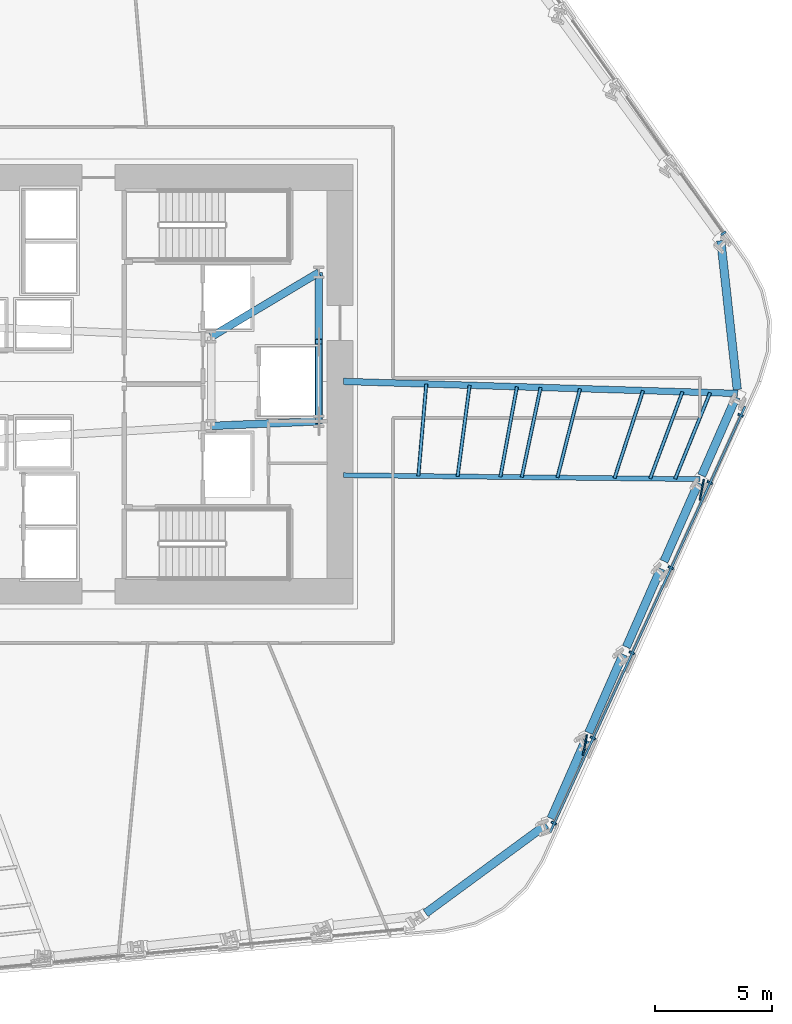
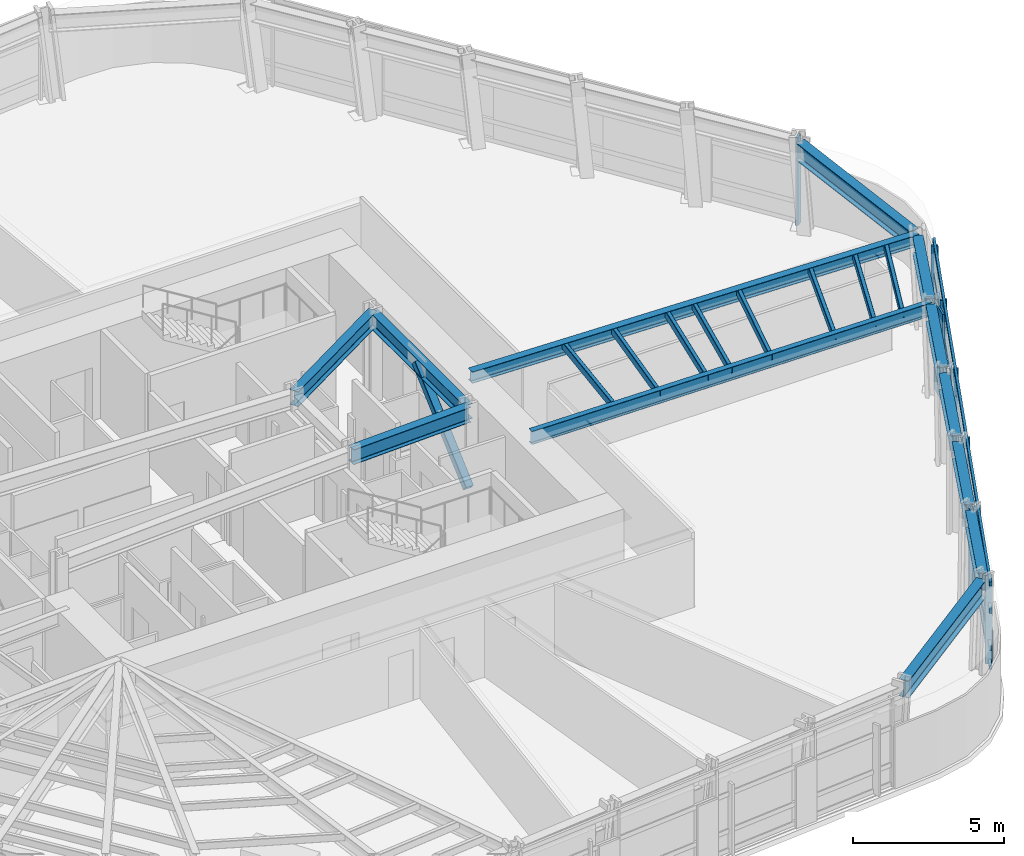
# One storey, part 4 of 16: 22 members, 12 beams, 2 elements without a shape of their own.
"""IFC4 building model written with IfcOpenShell, lengths in metres."""

from ifc_helpers import new_model, si_unit, direction, frame, origin, origin_2d, place, context, subcontext, project, spatial, rectangle, hollow_rectangle, i_section, extrude, material, layer, layer_set, material_profile, profile_set, type_object, element, aggregate, save


model = new_model("IFC4")

# Units and contexts
model_context = context("Model", 3, precision=1e-05, world=origin(), true_north=direction((0.0, 1.0)))
body_context = subcontext(model_context, "Body", "Model", "MODEL_VIEW")
ifc_project = project(units=[si_unit("LENGTHUNIT", "METRE"), si_unit("AREAUNIT", "SQUARE_METRE"), si_unit("VOLUMEUNIT", "CUBIC_METRE"), si_unit("PLANEANGLEUNIT", "RADIAN"), si_unit("MASSUNIT", "GRAM", prefix="KILO")], contexts=[model_context])

# Site, building, storey
site_placement = place(None, origin())
site = spatial("IfcSite", under=ifc_project, at=site_placement, CompositionType="ELEMENT")
building_placement = place(site_placement, origin())
building = spatial("IfcBuilding", under=site, at=building_placement, Name="Valkerne Bourse Tower", CompositionType="ELEMENT")
storey_placement = place(building_placement, frame((0.0, 0.0, 46.800048828125)))
storey = spatial("IfcBuildingStorey", under=building, at=storey_placement, Name="L11", CompositionType="ELEMENT", Elevation=46.800048828125)

# Beams
ifc_material_1 = material(Name="Steel ASTM A992", Category="steel")
ifc_material_profile_1 = material_profile(ifc_material_1, i_section(OverallWidth=0.279296875, OverallDepth=0.46240234375, WebThickness=0.0107421875, FlangeThickness=0.017333984375, FilletRadius=0.017822265625, at=origin_2d()), Name="W18X76")
ifc_profile_set_1 = profile_set([ifc_material_profile_1], Name="Steel ASTM A992")
beam_type_1 = type_object("IfcBeamType", Name="BM-W18X76", PredefinedType="BEAM", material=ifc_profile_set_1)
beam_1_placement = place(storey_placement, frame((72.82080078125, 26.48779296875, 3.348876953125), z_axis=(-0.999536696219, 0.030436703368, 0.0), x_axis=(-0.030436703368, -0.999536696219, 0.0)))
element("IfcBeam", 1, at=beam_1_placement, inside=storey, type_object=beam_type_1, Name="L11 Radial Composite Floor Beam 35", PredefinedType="BEAM", context=body_context, shape_type="SweptSolid", body=[
    extrude(i_section(OverallWidth=0.279296875, OverallDepth=0.46240234375, WebThickness=0.0107421875, FlangeThickness=0.017333984375, FilletRadius=0.017822265625, at=origin_2d()), origin(), (0.0, 0.0, 1.0), 16.82861328125),
])
ifc_material_profile_2 = material_profile(ifc_material_1, i_section(OverallWidth=0.209228515625, OverallDepth=0.533447265625, WebThickness=0.01025390625, FlangeThickness=0.015625, FilletRadius=0.017822265625, at=origin_2d()), Name="W21X62")
ifc_profile_set_2 = profile_set([ifc_material_profile_2], Name="Steel ASTM A992")
beam_type_2 = type_object("IfcBeamType", Name="BM-W21X62", PredefinedType="JOIST", material=ifc_profile_set_2)
beam_2_placement = place(storey_placement, frame((71.214599609375, 22.828857421875, 3.313232421875), z_axis=(-0.999936740773, 0.0112478643, 0.0), x_axis=(-0.0112478643, -0.999936740773, 0.0)))
element("IfcBeam", 2, at=beam_2_placement, inside=storey, type_object=beam_type_2, Name="L11 Radial Composite Floor Beam 34", PredefinedType="JOIST", context=body_context, shape_type="SweptSolid", body=[
    extrude(i_section(OverallWidth=0.209228515625, OverallDepth=0.533447265625, WebThickness=0.01025390625, FlangeThickness=0.015625, FilletRadius=0.017822265625, at=origin_2d()), origin(), (0.0, 0.0, 1.0), 15.215576171875),
])
ifc_material_profile_3 = material_profile(ifc_material_1, i_section(OverallWidth=0.3251953125, OverallDepth=0.612060546875, WebThickness=0.0126953125, FlangeThickness=0.01904296875, FilletRadius=0.020263671875, at=origin_2d()), Name="W24X104")
ifc_profile_set_3 = profile_set([ifc_material_profile_3], Name="Steel ASTM A992")
beam_type_3 = type_object("IfcBeamType", Name="BM-W24X104", PredefinedType="BEAM", material=ifc_profile_set_3)
beam_3_placement = place(storey_placement, frame((50.35009765625, 25.10009765625, 3.27392578125), z_axis=(0.999056558506, 0.043428019819, 0.0), x_axis=(-0.043428019819, 0.999056558506, 0.0)))
element("IfcBeam", 3, at=beam_3_placement, inside=storey, type_object=beam_type_3, Name="L11 Core Frame Girder CG-SE", PredefinedType="BEAM", context=body_context, shape_type="SweptSolid", body=[
    extrude(i_section(OverallWidth=0.3251953125, OverallDepth=0.612060546875, WebThickness=0.0126953125, FlangeThickness=0.01904296875, FilletRadius=0.020263671875, at=origin_2d()), origin(), (0.0, 0.0, 1.0), 4.604248046875),
])
beam_4_placement = place(storey_placement, frame((50.35009765625, 28.89990234375, 3.27392578125), z_axis=(0.858307823492, 0.513135148019, 0.0), x_axis=(-0.513135148019, 0.858307823492, 0.0)))
element("IfcBeam", 4, at=beam_4_placement, inside=storey, type_object=beam_type_3, Name="L11 Core Frame Girder CG-NE", PredefinedType="BEAM", context=body_context, shape_type="SweptSolid", body=[
    extrude(i_section(OverallWidth=0.3251953125, OverallDepth=0.612060546875, WebThickness=0.0126953125, FlangeThickness=0.01904296875, FilletRadius=0.020263671875, at=origin_2d()), origin(), (0.0, 0.0, 1.0), 5.359130859375),
])
beam_5_placement = place(storey_placement, frame((54.949951171875, 25.300048828125, 3.27392578125), z_axis=(0.0, 1.0, 0.0), x_axis=(-1.0, 0.0, 0.0)))
element("IfcBeam", 5, at=beam_5_placement, inside=storey, type_object=beam_type_3, Name="L11 Core Frame Girder CG-EE", PredefinedType="BEAM", context=body_context, shape_type="SweptSolid", body=[
    extrude(i_section(OverallWidth=0.3251953125, OverallDepth=0.612060546875, WebThickness=0.0126953125, FlangeThickness=0.01904296875, FilletRadius=0.020263671875, at=origin_2d()), origin(), (0.0, 0.0, 1.0), 6.349853515625),
])
ifc_material_profile_4 = material_profile(ifc_material_1, i_section(OverallWidth=0.358154296875, OverallDepth=0.7060546875, WebThickness=0.018310546875, FlangeThickness=0.0302734375, FilletRadius=0.02294921875, at=origin_2d()), Name="W27X178")
ifc_profile_set_4 = profile_set([ifc_material_profile_4], Name="Steel ASTM A992")
beam_type_4 = type_object("IfcBeamType", Name="BM-W27X178", PredefinedType="SPANDREL", material=ifc_profile_set_4)
beam_6_placement = place(storey_placement, frame((59.50390625, 4.309814453125, 3.226806640625), z_axis=(0.805912696436, 0.592034395727, 0.0), x_axis=(-0.592034395727, 0.805912696436, 0.0)))
element("IfcBeam", 6, at=beam_6_placement, inside=storey, type_object=beam_type_4, Name="L11 Hexagonal Spandrel Ring Beam 29", PredefinedType="SPANDREL", context=body_context, shape_type="SweptSolid", body=[
    extrude(i_section(OverallWidth=0.358154296875, OverallDepth=0.7060546875, WebThickness=0.018310546875, FlangeThickness=0.0302734375, FilletRadius=0.02294921875, at=origin_2d()), origin(), (0.0, 0.0, 1.0), 6.388916015625),
])
beam_7_placement = place(storey_placement, frame((64.858154296875, 8.348388671875, 3.226806640625), z_axis=(0.40199552406, 0.91564163221, 0.0), x_axis=(-0.91564163221, 0.40199552406, 0.0)))
element("IfcBeam", 7, at=beam_7_placement, inside=storey, type_object=beam_type_4, Name="L11 Hexagonal Spandrel Ring Beam 30", PredefinedType="SPANDREL", context=body_context, shape_type="SweptSolid", body=[
    extrude(i_section(OverallWidth=0.358154296875, OverallDepth=0.7060546875, WebThickness=0.018310546875, FlangeThickness=0.0302734375, FilletRadius=0.02294921875, at=origin_2d()), origin(), (0.0, 0.0, 1.0), 3.656005859375),
])
beam_8_placement = place(storey_placement, frame((66.46435546875, 12.007568359375, 3.226806640625), z_axis=(0.402020104829, 0.915630840084, 0.0), x_axis=(-0.915630840084, 0.402020104829, 0.0)))
element("IfcBeam", 8, at=beam_8_placement, inside=storey, type_object=beam_type_4, Name="L11 Hexagonal Spandrel Ring Beam 31", PredefinedType="SPANDREL", context=body_context, shape_type="SweptSolid", body=[
    extrude(i_section(OverallWidth=0.358154296875, OverallDepth=0.7060546875, WebThickness=0.018310546875, FlangeThickness=0.0302734375, FilletRadius=0.02294921875, at=origin_2d()), origin(), (0.0, 0.0, 1.0), 3.65576171875),
])
for number, where, z_axis, x_axis, name in (
    (9, (68.070556640625, 15.66650390625, 3.226806640625), (0.40199552406, 0.91564163221, 0.0), (-0.91564163221, 0.40199552406, 0.0), "L11 Hexagonal Spandrel Ring Beam 32"),
    (10, (69.6767578125, 19.325439453125, 3.226806640625), (0.40199552406, 0.91564163221, 0.0), (-0.91564163221, 0.40199552406, 0.0), "L11 Hexagonal Spandrel Ring Beam 33"),
):
    element("IfcBeam", number, at=place(storey_placement, frame(where, z_axis=z_axis, x_axis=x_axis)), inside=storey, type_object=beam_type_4, Name=name, PredefinedType="SPANDREL", context=body_context, shape_type="SweptSolid", body=[
        extrude(i_section(OverallWidth=0.358154296875, OverallDepth=0.7060546875, WebThickness=0.018310546875, FlangeThickness=0.0302734375, FilletRadius=0.02294921875, at=origin_2d()), origin(), (0.0, 0.0, 1.0), 3.656005859375),
    ])
beam_9_placement = place(storey_placement, frame((71.282958984375, 22.984619140625, 3.226806640625), z_axis=(0.401964114941, 0.91565542116, 0.0), x_axis=(-0.91565542116, 0.401964114941, 0.0)))
element("IfcBeam", 11, at=beam_9_placement, inside=storey, type_object=beam_type_4, Name="L11 Hexagonal Spandrel Ring Beam 34", PredefinedType="SPANDREL", context=body_context, shape_type="SweptSolid", body=[
    extrude(i_section(OverallWidth=0.358154296875, OverallDepth=0.7060546875, WebThickness=0.018310546875, FlangeThickness=0.0302734375, FilletRadius=0.02294921875, at=origin_2d()), origin(), (0.0, 0.0, 1.0), 3.65576171875),
])
beam_10_placement = place(storey_placement, frame((72.802001953125, 26.65673828125, 3.226806640625), z_axis=(-0.109710106272, 0.993963627394, 0.0), x_axis=(-0.993963627394, -0.109710106272, 0.0)))
element("IfcBeam", 12, at=beam_10_placement, inside=storey, type_object=beam_type_4, Name="L11 Hexagonal Spandrel Ring Beam 35", PredefinedType="SPANDREL", context=body_context, shape_type="SweptSolid", body=[
    extrude(i_section(OverallWidth=0.358154296875, OverallDepth=0.7060546875, WebThickness=0.018310546875, FlangeThickness=0.0302734375, FilletRadius=0.02294921875, at=origin_2d()), origin(), (0.0, 0.0, 1.0), 6.388916015625),
])

# Curtain wall, member
ifc_material_2 = material(Name="Aluminium AA 6063-T6", Category="aluminium")
ifc_layer = layer(ifc_material_2, 0.22509765625)
ifc_layer_set = layer_set([ifc_layer], Name="Aluminium AA 6063-T6")
curtain_wall_type = type_object("IfcCurtainWallType", Name="CW-01", PredefinedType="NOTDEFINED", material=ifc_layer_set)
curtain_wall_1_placement = place(storey_placement, origin())
curtain_wall_1 = element("IfcCurtainWall", 13, at=curtain_wall_1_placement, inside=storey, type_object=curtain_wall_type, Name="L11 Hexagonal Stick Curtain Wall Face 1", PredefinedType="NOTDEFINED")
ifc_material_profile_5 = material_profile(ifc_material_2, rectangle(XDim=0.090087890625, YDim=0.239990234375, at=origin_2d()), Name="CWM-90X240")
ifc_profile_set_5 = profile_set([ifc_material_profile_5], Name="Aluminium AA 6063-T6")
member_type_1 = type_object("IfcMemberType", Name="CW-MUL-240X90", PredefinedType="MULLION", material=ifc_profile_set_5)
member_1_placement = place(storey_placement, frame((72.210205078125, 33.317626953125, 0.0), z_axis=(0.0, 0.0, 1.0), x_axis=(-0.579285902215, 0.815124434363, 0.0)))
member_1 = element("IfcMember", 14, at=member_1_placement, type_object=member_type_1, Name="CW-L11-F1 Jamb Mullion 00A", PredefinedType="MULLION", context=body_context, shape_type="SweptSolid", body=[
    extrude(rectangle(XDim=0.090087890625, YDim=0.239990234375, at=origin_2d()), origin(), (0.0, 0.0, 1.0), 3.579833984375),
])
aggregate(curtain_wall_1, [member_1])

# Curtain wall, members
curtain_wall_2_placement = place(storey_placement, origin())
curtain_wall_2 = element("IfcCurtainWall", 15, at=curtain_wall_2_placement, inside=storey, type_object=curtain_wall_type, Name="L11 Hexagonal Stick Curtain Wall Face 6", PredefinedType="NOTDEFINED")
member_2_placement = place(storey_placement, frame((64.976318359375, 8.15283203125, 0.0), z_axis=(0.0, 0.0, 1.0), x_axis=(0.416290181483, 0.909231810267, 0.0)))
member_2 = element("IfcMember", 16, at=member_2_placement, type_object=member_type_1, Name="CW-L11-F6 Jamb Mullion 00A", PredefinedType="MULLION", context=body_context, shape_type="SweptSolid", body=[
    extrude(rectangle(XDim=0.090087890625, YDim=0.239990234375, at=origin_2d()), origin(), (0.0, 0.0, 1.0), 3.579833984375),
])
member_3_placement = place(storey_placement, frame((66.639892578125, 11.7861328125, 0.0), z_axis=(0.0, 0.0, 1.0), x_axis=(0.416269492971, 0.909241282181, 0.0)))
member_3 = element("IfcMember", 17, at=member_3_placement, type_object=member_type_1, Name="CW-L11-F6 Jamb Mullion 01A", PredefinedType="MULLION", context=body_context, shape_type="SweptSolid", body=[
    extrude(rectangle(XDim=0.090087890625, YDim=0.239990234375, at=origin_2d()), origin(), (0.0, 0.0, 1.0), 3.579833984375),
])
member_4_placement = place(storey_placement, frame((68.30322265625, 15.41943359375, 0.0), z_axis=(0.0, 0.0, 1.0), x_axis=(0.416290181483, 0.909231810267, 0.0)))
member_4 = element("IfcMember", 18, at=member_4_placement, type_object=member_type_1, Name="CW-L11-F6 Jamb Mullion 02A", PredefinedType="MULLION", context=body_context, shape_type="SweptSolid", body=[
    extrude(rectangle(XDim=0.090087890625, YDim=0.239990234375, at=origin_2d()), origin(), (0.0, 0.0, 1.0), 3.579833984375),
])
member_5_placement = place(storey_placement, frame((69.966796875, 19.052734375, 0.0), z_axis=(0.0, 0.0, 1.0), x_axis=(0.416269492971, 0.909241282181, 0.0)))
member_5 = element("IfcMember", 19, at=member_5_placement, type_object=member_type_1, Name="CW-L11-F6 Jamb Mullion 03A", PredefinedType="MULLION", context=body_context, shape_type="SweptSolid", body=[
    extrude(rectangle(XDim=0.090087890625, YDim=0.239990234375, at=origin_2d()), origin(), (0.0, 0.0, 1.0), 3.579833984375),
])
member_6_placement = place(storey_placement, frame((71.630126953125, 22.68603515625, 0.0), z_axis=(0.0, 0.0, 1.0), x_axis=(0.416290181483, 0.909231810267, 0.0)))
member_6 = element("IfcMember", 20, at=member_6_placement, type_object=member_type_1, Name="CW-L11-F6 Jamb Mullion 04A", PredefinedType="MULLION", context=body_context, shape_type="SweptSolid", body=[
    extrude(rectangle(XDim=0.090087890625, YDim=0.239990234375, at=origin_2d()), origin(), (0.0, 0.0, 1.0), 3.579833984375),
])
member_7_placement = place(storey_placement, frame((72.94384765625, 25.5556640625, 0.0), z_axis=(0.0, 0.0, 1.0), x_axis=(0.416290181483, 0.909231810267, 0.0)))
member_7 = element("IfcMember", 21, at=member_7_placement, type_object=member_type_1, Name="CW-L11-F6 Jamb Mullion 04B", PredefinedType="MULLION", context=body_context, shape_type="SweptSolid", body=[
    extrude(rectangle(XDim=0.090087890625, YDim=0.239990234375, at=origin_2d()), origin(), (0.0, 0.0, 1.0), 3.579833984375),
])
ifc_material_profile_6 = material_profile(ifc_material_2, rectangle(XDim=0.090087890625, YDim=0.179931640625, at=origin_2d()), Name="CWT-90X180")
ifc_profile_set_6 = profile_set([ifc_material_profile_6], Name="Aluminium AA 6063-T6")
member_type_2 = type_object("IfcMemberType", Name="CW-TRN-180X90", PredefinedType="USERDEFINED", material=ifc_profile_set_6)
member_8_placement = place(storey_placement, frame((64.819580078125, 7.7626953125, 0.119873046875), z_axis=(0.416285258669, 0.909234064152, 0.0), x_axis=(-0.909234064152, 0.416285258669, 0.0)))
member_8 = element("IfcMember", 22, at=member_8_placement, type_object=member_type_2, Name="CW-L11-F6 Continuous Face Transom 1", ObjectType="TRANSOM", PredefinedType="USERDEFINED", context=body_context, shape_type="SweptSolid", body=[
    extrude(rectangle(XDim=0.090087890625, YDim=0.179931640625, at=origin_2d()), origin(), (0.0, 0.0, 1.0), 19.97998046875),
])
member_9_placement = place(storey_placement, frame((64.819580078125, 7.7626953125, 0.89990234375), z_axis=(0.416285258669, 0.909234064152, 0.0), x_axis=(-0.909234064152, 0.416285258669, 0.0)))
member_9 = element("IfcMember", 23, at=member_9_placement, type_object=member_type_2, Name="CW-L11-F6 Continuous Face Transom 2", ObjectType="TRANSOM", PredefinedType="USERDEFINED", context=body_context, shape_type="SweptSolid", body=[
    extrude(rectangle(XDim=0.090087890625, YDim=0.179931640625, at=origin_2d()), origin(), (0.0, 0.0, 1.0), 19.97998046875),
])
member_10_placement = place(storey_placement, frame((64.819580078125, 7.7626953125, 2.39990234375), z_axis=(0.416285258669, 0.909234064152, 0.0), x_axis=(-0.909234064152, 0.416285258669, 0.0)))
member_10 = element("IfcMember", 24, at=member_10_placement, type_object=member_type_2, Name="CW-L11-F6 Continuous Face Transom 3", ObjectType="TRANSOM", PredefinedType="USERDEFINED", context=body_context, shape_type="SweptSolid", body=[
    extrude(rectangle(XDim=0.090087890625, YDim=0.179931640625, at=origin_2d()), origin(), (0.0, 0.0, 1.0), 19.97998046875),
])
member_11_placement = place(storey_placement, frame((64.819580078125, 7.7626953125, 3.5), z_axis=(0.416285258669, 0.909234064152, 0.0), x_axis=(-0.909234064152, 0.416285258669, 0.0)))
member_11 = element("IfcMember", 25, at=member_11_placement, type_object=member_type_2, Name="CW-L11-F6 Continuous Face Transom 4", ObjectType="TRANSOM", PredefinedType="USERDEFINED", context=body_context, shape_type="SweptSolid", body=[
    extrude(rectangle(XDim=0.090087890625, YDim=0.179931640625, at=origin_2d()), origin(), (0.0, 0.0, 1.0), 19.97998046875),
])
aggregate(curtain_wall_2, [member_8, member_9, member_10, member_11, member_2, member_3, member_4, member_5, member_6, member_7])

# Members
ifc_material_3 = material(Name="Bronze Anodised Aluminium AA 6063-T6", Category="aluminium")
ifc_material_profile_7 = material_profile(ifc_material_3, rectangle(XDim=0.070068359375, YDim=0.89990234375, at=origin_2d()), Name="FIN-70X900")
ifc_profile_set_7 = profile_set([ifc_material_profile_7], Name="Bronze Anodised Aluminium AA 6063-T6")
member_type_3 = type_object("IfcMemberType", Name="FIN-SOLAR-900", PredefinedType="USERDEFINED", material=ifc_profile_set_7)
for number, where, z_axis, x_axis, name in (
    (26, (66.30126953125, 11.479248046875, 0.00390625), (0.0, 0.0, 1.0), (0.982486409991, -0.186334253919, 0.0), "L11 Bronze Anodised Solar Fin F6-01"),
    (27, (71.29150390625, 22.379150390625, 0.00390625), (0.0, 0.0, 1.0), (0.982482023949, -0.186357378757, 0.0), "L11 Bronze Anodised Solar Fin F6-04"),
):
    element("IfcMember", number, at=place(storey_placement, frame(where, z_axis=z_axis, x_axis=x_axis)), inside=storey, type_object=member_type_3, Name=name, ObjectType="SOLAR_FIN", PredefinedType="USERDEFINED", context=body_context, shape_type="SweptSolid", body=[
        extrude(rectangle(XDim=0.070068359375, YDim=0.89990234375, at=origin_2d()), origin(), (0.0, 0.0, 1.0), 3.572021484375),
    ])
ifc_material_4 = material(Name="Steel ASTM A500 Grade C", Category="steel")
ifc_material_profile_8 = material_profile(ifc_material_4, hollow_rectangle(XDim=0.14990234375, YDim=0.300048828125, WallThickness=0.012451171875, OuterFilletRadius=0.02490234375, at=origin_2d()), Name="HSS300X150X12.5")
ifc_profile_set_8 = profile_set([ifc_material_profile_8], Name="Steel ASTM A500 Grade C")
member_type_4 = type_object("IfcMemberType", Name="MBR-HSS300X150X12.5", PredefinedType="PURLIN", material=ifc_profile_set_8)
member_12_placement = place(storey_placement, frame((60.86865234375, 22.9453125, 3.419921875), z_axis=(0.131006430193, 0.991381518512, 0.0), x_axis=(-0.991381518512, 0.131006430193, 0.0)))
element("IfcMember", 28, at=member_12_placement, inside=storey, type_object=member_type_4, Name="L11 Secondary Composite Floor Purlin I-34", PredefinedType="PURLIN", context=body_context, shape_type="SweptSolid", body=[
    extrude(hollow_rectangle(XDim=0.14990234375, YDim=0.300048828125, WallThickness=0.012451171875, OuterFilletRadius=0.02490234375, at=origin_2d()), origin(), (0.0, 0.0, 1.0), 3.9248046875),
])
member_13_placement = place(storey_placement, frame((62.694580078125, 22.9248046875, 3.419921875), z_axis=(0.180509908215, 0.983573166082, 0.0), x_axis=(-0.983573166082, 0.180509908215, 0.0)))
element("IfcMember", 29, at=member_13_placement, inside=storey, type_object=member_type_4, Name="L11 Secondary Composite Floor Purlin K-34", PredefinedType="PURLIN", context=body_context, shape_type="SweptSolid", body=[
    extrude(hollow_rectangle(XDim=0.14990234375, YDim=0.300048828125, WallThickness=0.012451171875, OuterFilletRadius=0.02490234375, at=origin_2d()), origin(), (0.0, 0.0, 1.0), 3.9140625),
])
member_14_placement = place(storey_placement, frame((63.607421875, 22.914306640625, 3.419921875), z_axis=(0.205214844297, 0.978716949726, 0.0), x_axis=(-0.978716949726, 0.205214844297, 0.0)))
element("IfcMember", 30, at=member_14_placement, inside=storey, type_object=member_type_4, Name="L11 Secondary Composite Floor Purlin M-34", PredefinedType="PURLIN", context=body_context, shape_type="SweptSolid", body=[
    extrude(hollow_rectangle(XDim=0.14990234375, YDim=0.300048828125, WallThickness=0.012451171875, OuterFilletRadius=0.02490234375, at=origin_2d()), origin(), (0.0, 0.0, 1.0), 3.912841796875),
])
member_15_placement = place(storey_placement, frame((67.563232421875, 22.869873046875, 3.419921875), z_axis=(0.310171776922, 0.950680529306, 0.0), x_axis=(-0.950680529306, 0.310171776922, 0.0)))
element("IfcMember", 31, at=member_15_placement, inside=storey, type_object=member_type_4, Name="L11 Secondary Composite Floor Purlin O-34", PredefinedType="PURLIN", context=body_context, shape_type="SweptSolid", body=[
    extrude(hollow_rectangle(XDim=0.14990234375, YDim=0.300048828125, WallThickness=0.012451171875, OuterFilletRadius=0.02490234375, at=origin_2d()), origin(), (0.0, 0.0, 1.0), 3.934814453125),
])
member_16_placement = place(storey_placement, frame((65.12890625, 22.897216796875, 3.419921875), z_axis=(0.246084120029, 0.969248474783, 0.0), x_axis=(-0.969248474783, 0.246084120029, 0.0)))
element("IfcMember", 32, at=member_16_placement, inside=storey, type_object=member_type_4, Name="L11 Secondary Composite Floor Purlin Z-34", PredefinedType="PURLIN", context=body_context, shape_type="SweptSolid", body=[
    extrude(hollow_rectangle(XDim=0.14990234375, YDim=0.300048828125, WallThickness=0.012451171875, OuterFilletRadius=0.02490234375, at=origin_2d()), origin(), (0.0, 0.0, 1.0), 3.915771484375),
])
member_17_placement = place(storey_placement, frame((59.195068359375, 22.964111328125, 3.419921875), z_axis=(0.085576770843, 0.996331579492, 0.0), x_axis=(-0.996331579492, 0.085576770843, 0.0)))
element("IfcMember", 33, at=member_17_placement, inside=storey, type_object=member_type_4, Name="L11 Secondary Composite Floor Purlin S-34", PredefinedType="PURLIN", context=body_context, shape_type="SweptSolid", body=[
    extrude(hollow_rectangle(XDim=0.14990234375, YDim=0.300048828125, WallThickness=0.012451171875, OuterFilletRadius=0.02490234375, at=origin_2d()), origin(), (0.0, 0.0, 1.0), 3.942626953125),
])
member_18_placement = place(storey_placement, frame((69.084716796875, 22.852783203125, 3.419921875), z_axis=(0.349140903163, 0.937070237356, 0.0), x_axis=(-0.937070237356, 0.349140903163, 0.0)))
element("IfcMember", 34, at=member_18_placement, inside=storey, type_object=member_type_4, Name="L11 Secondary Composite Floor Purlin T-34", PredefinedType="PURLIN", context=body_context, shape_type="SweptSolid", body=[
    extrude(hollow_rectangle(XDim=0.14990234375, YDim=0.300048828125, WallThickness=0.012451171875, OuterFilletRadius=0.02490234375, at=origin_2d()), origin(), (0.0, 0.0, 1.0), 3.955810546875),
])
member_19_placement = place(storey_placement, frame((70.149658203125, 22.8408203125, 3.419921875), z_axis=(0.375834865521, 0.926686653545, 0.0), x_axis=(-0.926686653545, 0.375834865521, 0.0)))
element("IfcMember", 35, at=member_19_placement, inside=storey, type_object=member_type_4, Name="L11 Secondary Composite Floor Purlin U-34", PredefinedType="PURLIN", context=body_context, shape_type="SweptSolid", body=[
    extrude(hollow_rectangle(XDim=0.14990234375, YDim=0.300048828125, WallThickness=0.012451171875, OuterFilletRadius=0.02490234375, at=origin_2d()), origin(), (0.0, 0.0, 1.0), 3.97412109375),
])
ifc_material_profile_9 = material_profile(ifc_material_4, hollow_rectangle(XDim=0.300048828125, YDim=0.300048828125, WallThickness=0.012451171875, OuterFilletRadius=0.02490234375, at=origin_2d()), Name="HSS300X300X12.5")
ifc_profile_set_9 = profile_set([ifc_material_profile_9], Name="Steel ASTM A500 Grade C")
member_type_5 = type_object("IfcMemberType", Name="MBR-HSS300X300X12.5", PredefinedType="STRUT", material=ifc_profile_set_9)
member_20_placement = place(storey_placement, frame((54.949951171875, 25.300048828125, 0.219970703125), z_axis=(0.0, 0.743941933778, 0.668244266094), x_axis=(-1.0, 0.0, 0.0)))
element("IfcMember", 36, at=member_20_placement, inside=storey, type_object=member_type_5, Name="L11 Core Service Pier Lateral Brace", PredefinedType="STRUT", context=body_context, shape_type="SweptSolid", body=[
    extrude(hollow_rectangle(XDim=0.300048828125, YDim=0.300048828125, WallThickness=0.012451171875, OuterFilletRadius=0.02490234375, at=origin_2d()), origin(), (0.0, 0.0, 1.0), 4.570068359375),
])

save(model, "model.ifc")
